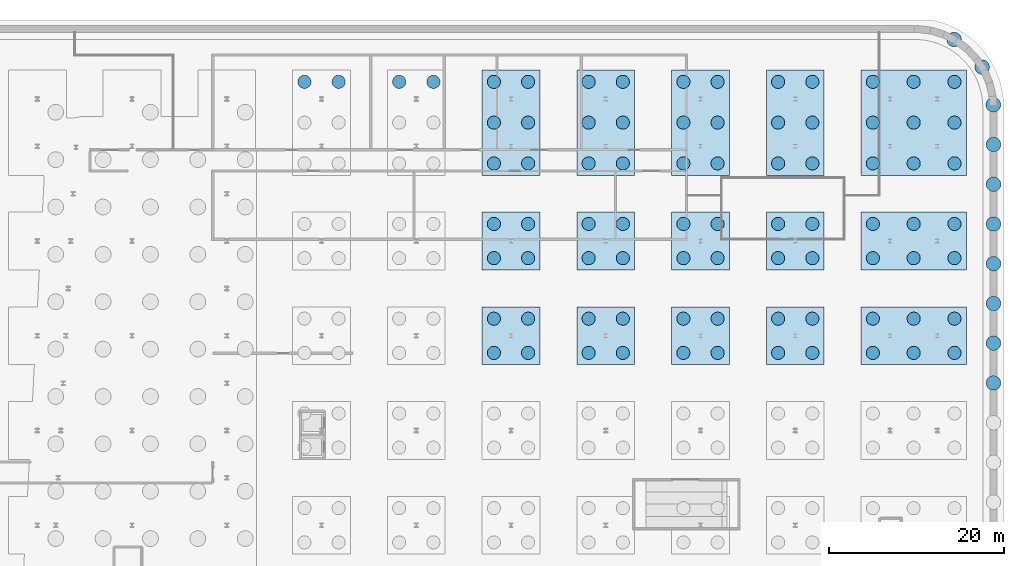
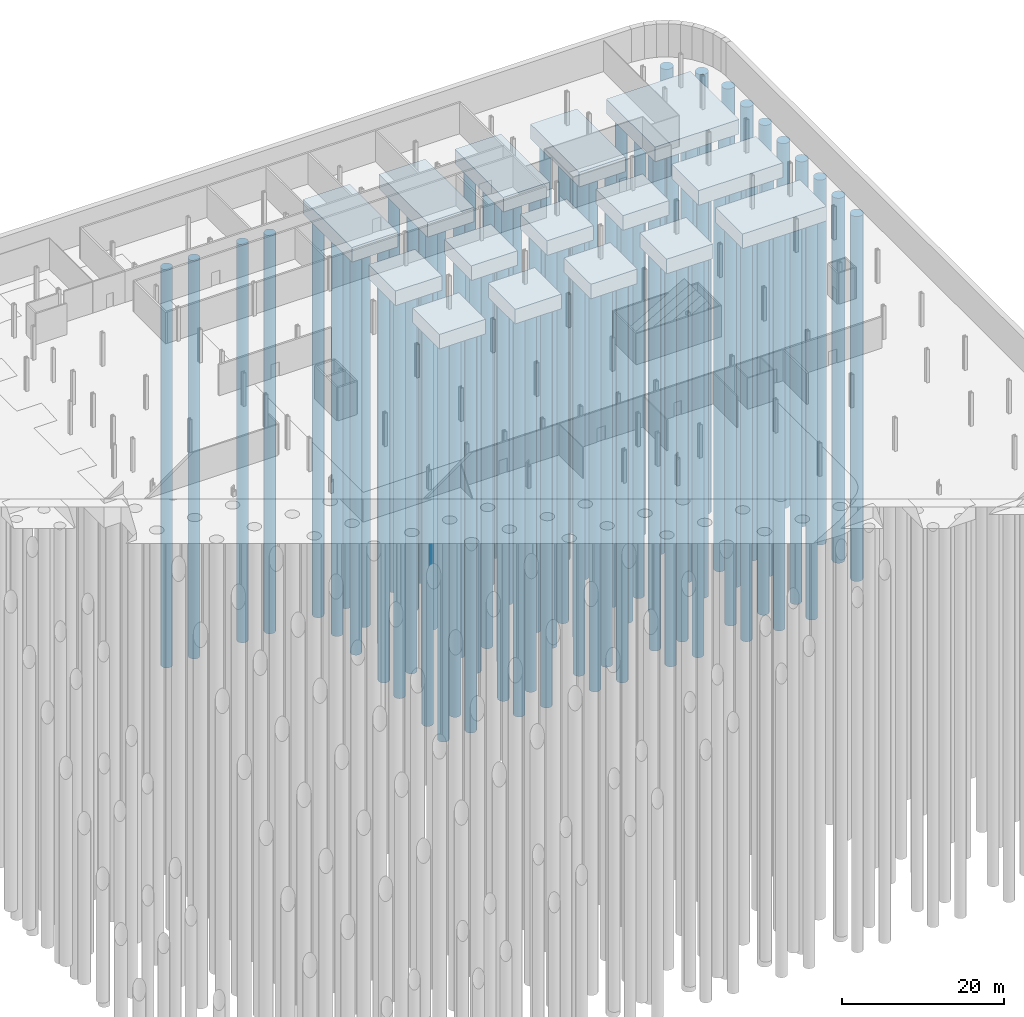
# One storey, part 3 of 23: 91 piles, 15 footings.
"""IFC4 building model written with IfcOpenShell, lengths in metres."""

from ifc_helpers import new_model, si_unit, direction, frame, origin, origin_2d, place, context, subcontext, project, spatial, polyline, rectangle, circle, outline, extrude, material, material_profile, profile_set, type_object, element, save


model = new_model("IFC4")

# Units and contexts
model_context = context("Model", 3, precision=1e-05, world=origin(), true_north=direction((0.0, 1.0)))
body_context = subcontext(model_context, "Body", "Model", "MODEL_VIEW")
ifc_project = project(units=[si_unit("LENGTHUNIT", "METRE"), si_unit("AREAUNIT", "SQUARE_METRE"), si_unit("VOLUMEUNIT", "CUBIC_METRE"), si_unit("PLANEANGLEUNIT", "RADIAN"), si_unit("MASSUNIT", "GRAM", prefix="KILO")], contexts=[model_context])

# Site, building, storey
site_placement = place(None, origin())
site = spatial("IfcSite", under=ifc_project, at=site_placement, CompositionType="ELEMENT")
building_placement = place(site_placement, origin())
building = spatial("IfcBuilding", under=site, at=building_placement, Name="Kheshtan School and Residences Tower", CompositionType="ELEMENT")
storey_placement = place(building_placement, frame((0.0, 0.0, -15.0)))
storey = spatial("IfcBuildingStorey", under=building, at=storey_placement, Name="B3", CompositionType="ELEMENT", Elevation=-15.0)

# Piles
ifc_material_1 = material(Name="Concrete C50/60", Category="concrete")
ifc_material_profile_1 = material_profile(ifc_material_1, circle(Radius=0.75, at=origin_2d()), Name="BP 1500")
ifc_profile_set_1 = profile_set([ifc_material_profile_1], Name="Concrete C50/60")
pile_type_1 = type_object("IfcPileType", Name="Bored pile 1500 Concrete C50/60", PredefinedType="BORED", material=ifc_profile_set_1)
for number, where, z_axis, x_axis, name in (
    (1, (56.449951171875, 106.949951171875, -3.0), (0.0, 0.0, -1.0), (1.0, 0.0, 0.0), "Cap pile C022-3"),
    (2, (60.35009765625, 106.949951171875, -3.0), (0.0, 0.0, -1.0), (1.0, 0.0, 0.0), "Cap pile C022-4"),
    (3, (67.25, 106.949951171875, -3.0), (0.0, 0.0, -1.0), (1.0, 0.0, 0.0), "Cap pile C023-3"),
    (4, (71.14990234375, 106.949951171875, -3.0), (0.0, 0.0, -1.0), (1.0, 0.0, 0.0), "Cap pile C023-4"),
    (5, (88.85009765625, 76.050048828125, -3.0), (0.0, 0.0, -1.0), (1.0, 0.0, 0.0), "Cap pile C034-1"),
    (6, (92.75, 76.050048828125, -3.0), (0.0, 0.0, -1.0), (1.0, 0.0, 0.0), "Cap pile C034-2"),
    (7, (88.85009765625, 79.949951171875, -3.0), (0.0, 0.0, -1.0), (1.0, 0.0, 0.0), "Cap pile C034-3"),
    (8, (92.75, 79.949951171875, -3.0), (0.0, 0.0, -1.0), (1.0, 0.0, 0.0), "Cap pile C034-4"),
    (9, (110.449951171875, 76.050048828125, -3.0), (0.0, 0.0, -1.0), (1.0, 0.0, 0.0), "Cap pile C035-1"),
    (10, (114.35009765625, 76.050048828125, -3.0), (0.0, 0.0, -1.0), (1.0, 0.0, 0.0), "Cap pile C035-2"),
    (11, (110.449951171875, 79.949951171875, -3.0), (0.0, 0.0, -1.0), (1.0, 0.0, 0.0), "Cap pile C035-3"),
    (12, (114.35009765625, 79.949951171875, -3.0), (0.0, 0.0, -1.0), (1.0, 0.0, 0.0), "Cap pile C035-4"),
    (13, (99.64990234375, 76.050048828125, -3.0), (0.0, 0.0, -1.0), (1.0, 0.0, 0.0), "Cap pile C036-1"),
    (14, (103.550048828125, 76.050048828125, -3.0), (0.0, 0.0, -1.0), (1.0, 0.0, 0.0), "Cap pile C036-2"),
    (15, (99.64990234375, 79.949951171875, -3.0), (0.0, 0.0, -1.0), (1.0, 0.0, 0.0), "Cap pile C036-3"),
    (16, (103.550048828125, 79.949951171875, -3.0), (0.0, 0.0, -1.0), (1.0, 0.0, 0.0), "Cap pile C036-4"),
    (17, (78.050048828125, 76.050048828125, -3.0), (0.0, 0.0, -1.0), (1.0, 0.0, 0.0), "Cap pile C037-1"),
    (18, (81.949951171875, 76.050048828125, -3.0), (0.0, 0.0, -1.0), (1.0, 0.0, 0.0), "Cap pile C037-2"),
    (19, (78.050048828125, 79.949951171875, -3.0), (0.0, 0.0, -1.0), (1.0, 0.0, 0.0), "Cap pile C037-3"),
    (20, (81.949951171875, 79.949951171875, -3.0), (0.0, 0.0, -1.0), (1.0, 0.0, 0.0), "Cap pile C037-4"),
    (21, (88.85009765625, 86.85009765625, -3.0), (0.0, 0.0, -1.0), (1.0, 0.0, 0.0), "Cap pile C038-1"),
    (22, (92.75, 86.85009765625, -3.0), (0.0, 0.0, -1.0), (1.0, 0.0, 0.0), "Cap pile C038-2"),
    (23, (88.85009765625, 90.75, -3.0), (0.0, 0.0, -1.0), (1.0, 0.0, 0.0), "Cap pile C038-3"),
    (24, (92.75, 90.75, -3.0), (0.0, 0.0, -1.0), (1.0, 0.0, 0.0), "Cap pile C038-4"),
    (25, (78.050048828125, 86.85009765625, -3.0), (0.0, 0.0, -1.0), (1.0, 0.0, 0.0), "Cap pile C039-1"),
    (26, (81.949951171875, 86.85009765625, -3.0), (0.0, 0.0, -1.0), (1.0, 0.0, 0.0), "Cap pile C039-2"),
    (27, (78.050048828125, 90.75, -3.0), (0.0, 0.0, -1.0), (1.0, 0.0, 0.0), "Cap pile C039-3"),
    (28, (81.949951171875, 90.75, -3.0), (0.0, 0.0, -1.0), (1.0, 0.0, 0.0), "Cap pile C039-4"),
    (29, (99.64990234375, 86.85009765625, -3.0), (0.0, 0.0, -1.0), (1.0, 0.0, 0.0), "Cap pile C040-1"),
    (30, (103.550048828125, 86.85009765625, -3.0), (0.0, 0.0, -1.0), (1.0, 0.0, 0.0), "Cap pile C040-2"),
    (31, (99.64990234375, 90.75, -3.0), (0.0, 0.0, -1.0), (1.0, 0.0, 0.0), "Cap pile C040-3"),
    (32, (103.550048828125, 90.75, -3.0), (0.0, 0.0, -1.0), (1.0, 0.0, 0.0), "Cap pile C040-4"),
    (33, (110.449951171875, 86.85009765625, -3.0), (0.0, 0.0, -1.0), (1.0, 0.0, 0.0), "Cap pile C041-1"),
    (34, (114.35009765625, 86.85009765625, -3.0), (0.0, 0.0, -1.0), (1.0, 0.0, 0.0), "Cap pile C041-2"),
    (35, (110.449951171875, 90.75, -3.0), (0.0, 0.0, -1.0), (1.0, 0.0, 0.0), "Cap pile C041-3"),
    (36, (114.35009765625, 90.75, -3.0), (0.0, 0.0, -1.0), (1.0, 0.0, 0.0), "Cap pile C041-4"),
    (37, (88.85009765625, 97.64990234375, -3.0), (0.0, 0.0, -1.0), (1.0, 0.0, 0.0), "Cap pile C042-1"),
    (38, (92.75, 97.64990234375, -3.0), (0.0, 0.0, -1.0), (1.0, 0.0, 0.0), "Cap pile C042-2"),
    (39, (88.85009765625, 106.949951171875, -3.0), (0.0, 0.0, -1.0), (1.0, 0.0, 0.0), "Cap pile C042-3"),
    (40, (92.75, 106.949951171875, -3.0), (0.0, 0.0, -1.0), (1.0, 0.0, 0.0), "Cap pile C042-4"),
    (41, (88.85009765625, 102.300048828125, -3.0), (0.0, 0.0, -1.0), (1.0, 0.0, 0.0), "Cap pile C042-5"),
    (42, (92.75, 102.300048828125, -3.0), (0.0, 0.0, -1.0), (1.0, 0.0, 0.0), "Cap pile C042-6"),
    (43, (78.050048828125, 97.64990234375, -3.0), (0.0, 0.0, -1.0), (1.0, 0.0, 0.0), "Cap pile C043-1"),
    (44, (81.949951171875, 97.64990234375, -3.0), (0.0, 0.0, -1.0), (1.0, 0.0, 0.0), "Cap pile C043-2"),
    (45, (78.050048828125, 106.949951171875, -3.0), (0.0, 0.0, -1.0), (1.0, 0.0, 0.0), "Cap pile C043-3"),
    (46, (81.949951171875, 106.949951171875, -3.0), (0.0, 0.0, -1.0), (1.0, 0.0, 0.0), "Cap pile C043-4"),
    (47, (78.050048828125, 102.300048828125, -3.0), (0.0, 0.0, -1.0), (1.0, 0.0, 0.0), "Cap pile C043-5"),
    (48, (81.949951171875, 102.300048828125, -3.0), (0.0, 0.0, -1.0), (1.0, 0.0, 0.0), "Cap pile C043-6"),
    (49, (99.64990234375, 97.64990234375, -3.0), (0.0, 0.0, -1.0), (1.0, 0.0, 0.0), "Cap pile C044-1"),
    (50, (103.550048828125, 97.64990234375, -3.0), (0.0, 0.0, -1.0), (1.0, 0.0, 0.0), "Cap pile C044-2"),
    (51, (99.64990234375, 106.949951171875, -3.0), (0.0, 0.0, -1.0), (1.0, 0.0, 0.0), "Cap pile C044-3"),
    (52, (103.550048828125, 106.949951171875, -3.0), (0.0, 0.0, -1.0), (1.0, 0.0, 0.0), "Cap pile C044-4"),
    (53, (99.64990234375, 102.300048828125, -3.0), (0.0, 0.0, -1.0), (1.0, 0.0, 0.0), "Cap pile C044-5"),
    (54, (103.550048828125, 102.300048828125, -3.0), (0.0, 0.0, -1.0), (1.0, 0.0, 0.0), "Cap pile C044-6"),
    (55, (110.449951171875, 97.64990234375, -3.0), (0.0, 0.0, -1.0), (1.0, 0.0, 0.0), "Cap pile C045-1"),
    (56, (114.35009765625, 97.64990234375, -3.0), (0.0, 0.0, -1.0), (1.0, 0.0, 0.0), "Cap pile C045-2"),
    (57, (110.449951171875, 106.949951171875, -3.0), (0.0, 0.0, -1.0), (1.0, 0.0, 0.0), "Cap pile C045-3"),
    (58, (114.35009765625, 106.949951171875, -3.0), (0.0, 0.0, -1.0), (1.0, 0.0, 0.0), "Cap pile C045-4"),
    (59, (110.449951171875, 102.300048828125, -3.0), (0.0, 0.0, -1.0), (1.0, 0.0, 0.0), "Cap pile C045-5"),
    (60, (114.35009765625, 102.300048828125, -3.0), (0.0, 0.0, -1.0), (1.0, 0.0, 0.0), "Cap pile C045-6"),
    (61, (121.25, 76.050048828125, -3.0), (0.0, 0.0, -1.0), (1.0, 0.0, 0.0), "Cap pile C058-1"),
    (62, (121.25, 79.949951171875, -3.0), (0.0, 0.0, -1.0), (1.0, 0.0, 0.0), "Cap pile C058-2"),
    (63, (130.550048828125, 76.050048828125, -3.0), (0.0, 0.0, -1.0), (1.0, 0.0, 0.0), "Cap pile C058-3"),
    (64, (130.550048828125, 79.949951171875, -3.0), (0.0, 0.0, -1.0), (1.0, 0.0, 0.0), "Cap pile C058-4"),
    (65, (125.89990234375, 76.050048828125, -3.0), (0.0, 0.0, -1.0), (1.0, 0.0, 0.0), "Cap pile C058-5"),
    (66, (125.89990234375, 79.949951171875, -3.0), (0.0, 0.0, -1.0), (1.0, 0.0, 0.0), "Cap pile C058-6"),
    (67, (121.25, 86.85009765625, -3.0), (0.0, 0.0, -1.0), (1.0, 0.0, 0.0), "Cap pile C059-1"),
    (68, (121.25, 90.75, -3.0), (0.0, 0.0, -1.0), (1.0, 0.0, 0.0), "Cap pile C059-2"),
    (69, (130.550048828125, 86.85009765625, -3.0), (0.0, 0.0, -1.0), (1.0, 0.0, 0.0), "Cap pile C059-3"),
    (70, (130.550048828125, 90.75, -3.0), (0.0, 0.0, -1.0), (1.0, 0.0, 0.0), "Cap pile C059-4"),
    (71, (125.89990234375, 86.85009765625, -3.0), (0.0, 0.0, -1.0), (1.0, 0.0, 0.0), "Cap pile C059-5"),
    (72, (125.89990234375, 90.75, -3.0), (0.0, 0.0, -1.0), (1.0, 0.0, 0.0), "Cap pile C059-6"),
    (73, (121.25, 97.64990234375, -3.0), (0.0, 0.0, -1.0), (1.0, 0.0, 0.0), "Cap pile C060-1"),
    (74, (121.25, 106.949951171875, -3.0), (0.0, 0.0, -1.0), (1.0, 0.0, 0.0), "Cap pile C060-2"),
    (75, (130.550048828125, 97.64990234375, -3.0), (0.0, 0.0, -1.0), (1.0, 0.0, 0.0), "Cap pile C060-3"),
    (76, (130.550048828125, 106.949951171875, -3.0), (0.0, 0.0, -1.0), (1.0, 0.0, 0.0), "Cap pile C060-4"),
    (77, (125.89990234375, 97.64990234375, -3.0), (0.0, 0.0, -1.0), (1.0, 0.0, 0.0), "Cap pile C060-5"),
    (78, (125.89990234375, 106.949951171875, -3.0), (0.0, 0.0, -1.0), (1.0, 0.0, 0.0), "Cap pile C060-6"),
    (79, (121.25, 102.300048828125, -3.0), (0.0, 0.0, -1.0), (1.0, 0.0, 0.0), "Cap pile C060-7"),
    (80, (130.550048828125, 102.300048828125, -3.0), (0.0, 0.0, -1.0), (1.0, 0.0, 0.0), "Cap pile C060-8"),
    (81, (125.89990234375, 102.300048828125, -3.0), (0.0, 0.0, -1.0), (1.0, 0.0, 0.0), "Cap pile C060-9"),
):
    element("IfcPile", number, at=place(storey_placement, frame(where, z_axis=z_axis, x_axis=x_axis)), inside=storey, type_object=pile_type_1, Name=name, PredefinedType="BORED", context=body_context, shape_type="SweptSolid", body=[
        extrude(circle(Radius=0.75, at=origin_2d()), origin(), (0.0, 0.0, 1.0), 60.0),
    ])
ifc_material_profile_2 = material_profile(ifc_material_1, circle(Radius=0.824951171875, at=origin_2d()), Name="BP 1650")
ifc_profile_set_2 = profile_set([ifc_material_profile_2], Name="Concrete C50/60")
pile_type_2 = type_object("IfcPileType", Name="Bored pile 1650 Concrete C50/60", PredefinedType="BORED", material=ifc_profile_set_2)
for number, where, z_axis, x_axis, name in (
    (82, (130.50830078125, 111.776611328125, -1.60009765625), (0.0, 0.0, -1.0), (1.0, 0.0, 0.0), "Wall pile W1-028"),
    (83, (133.70458984375, 108.63330078125, -1.60009765625), (0.0, 0.0, -1.0), (1.0, 0.0, 0.0), "Wall pile W1-029"),
    (84, (134.982421875, 104.33642578125, -1.60009765625), (0.0, 0.0, -1.0), (1.0, 0.0, 0.0), "Wall pile W1-030"),
    (85, (135.0, 99.806884765625, -1.60009765625), (0.0, 0.0, -1.0), (1.0, 0.0, 0.0), "Wall pile W1-031"),
    (86, (135.0, 95.27685546875, -1.60009765625), (0.0, 0.0, -1.0), (1.0, 0.0, 0.0), "Wall pile W1-032"),
    (87, (135.0, 90.74658203125, -1.60009765625), (0.0, 0.0, -1.0), (1.0, 0.0, 0.0), "Wall pile W1-033"),
    (88, (135.0, 86.216552734375, -1.60009765625), (0.0, 0.0, -1.0), (1.0, 0.0, 0.0), "Wall pile W1-034"),
    (89, (135.0, 81.6865234375, -1.60009765625), (0.0, 0.0, -1.0), (1.0, 0.0, 0.0), "Wall pile W1-035"),
    (90, (135.0, 77.156494140625, -1.60009765625), (0.0, 0.0, -1.0), (1.0, 0.0, 0.0), "Wall pile W1-036"),
    (91, (135.0, 72.626220703125, -1.60009765625), (0.0, 0.0, -1.0), (1.0, 0.0, 0.0), "Wall pile W1-037"),
):
    element("IfcPile", number, at=place(storey_placement, frame(where, z_axis=z_axis, x_axis=x_axis)), inside=storey, type_object=pile_type_2, Name=name, PredefinedType="BORED", context=body_context, shape_type="SweptSolid", body=[
        extrude(circle(Radius=0.824951171875, at=origin_2d()), origin(), (0.0, 0.0, 1.0), 55.0),
    ])

# Footings
ifc_material_2 = material(Name="Concrete C40/50", Category="concrete")
footing_type = type_object("IfcFootingType", Name="Pile cap 6600 x 6600 x 2200 Concrete C40/50", PredefinedType="PILE_CAP", material=ifc_material_2)
for number, where, z_axis, x_axis, name in (
    (92, (90.800048828125, 78.0, -3.0), (0.0, 0.0, 1.0), (1.0, 0.0, 0.0), "Pile cap 034"),
    (93, (112.39990234375, 78.0, -3.0), (0.0, 0.0, 1.0), (1.0, 0.0, 0.0), "Pile cap 035"),
    (94, (101.60009765625, 78.0, -3.0), (0.0, 0.0, 1.0), (1.0, 0.0, 0.0), "Pile cap 036"),
    (95, (80.0, 78.0, -3.0), (0.0, 0.0, 1.0), (1.0, 0.0, 0.0), "Pile cap 037"),
    (96, (90.800048828125, 88.800048828125, -3.0), (0.0, 0.0, 1.0), (1.0, 0.0, 0.0), "Pile cap 038"),
    (97, (80.0, 88.800048828125, -3.0), (0.0, 0.0, 1.0), (1.0, 0.0, 0.0), "Pile cap 039"),
    (98, (101.60009765625, 88.800048828125, -3.0), (0.0, 0.0, 1.0), (1.0, 0.0, 0.0), "Pile cap 040"),
    (99, (112.39990234375, 88.800048828125, -3.0), (0.0, 0.0, 1.0), (1.0, 0.0, 0.0), "Pile cap 041"),
):
    element("IfcFooting", number, at=place(storey_placement, frame(where, z_axis=z_axis, x_axis=x_axis)), inside=storey, type_object=footing_type, Name=name, PredefinedType="PILE_CAP", context=body_context, shape_type="SweptSolid", body=[
        extrude(rectangle(XDim=6.60009765625, YDim=6.60009765625, at=origin_2d()), origin(), (0.0, 0.0, 1.0), 2.199951171875),
    ])
footing_1_placement = place(storey_placement, frame((0.0, 0.0, -3.0)))
element("IfcFooting", 100, at=footing_1_placement, inside=storey, type_object=footing_type, Name="Pile cap 042 (combined)", PredefinedType="PILE_CAP", context=body_context, shape_type="SweptSolid", body=[
    extrude(outline(polyline([(87.5, 96.300048828125), (87.5, 101.699951171875), (87.5, 102.89990234375), (87.5, 108.300048828125), (94.10009765625, 108.300048828125), (94.10009765625, 102.89990234375), (94.10009765625, 101.699951171875), (94.10009765625, 96.300048828125), (87.5, 96.300048828125)])), origin(), (0.0, 0.0, 1.0), 2.199951171875),
])
footing_2_placement = place(storey_placement, frame((0.0, 0.0, -3.0)))
element("IfcFooting", 101, at=footing_2_placement, inside=storey, type_object=footing_type, Name="Pile cap 043 (combined)", PredefinedType="PILE_CAP", context=body_context, shape_type="SweptSolid", body=[
    extrude(outline(polyline([(76.699951171875, 96.300048828125), (76.699951171875, 101.699951171875), (76.699951171875, 102.89990234375), (76.699951171875, 108.300048828125), (83.300048828125, 108.300048828125), (83.300048828125, 102.89990234375), (83.300048828125, 101.699951171875), (83.300048828125, 96.300048828125), (76.699951171875, 96.300048828125)])), origin(), (0.0, 0.0, 1.0), 2.199951171875),
])
footing_3_placement = place(storey_placement, frame((0.0, 0.0, -3.0)))
element("IfcFooting", 102, at=footing_3_placement, inside=storey, type_object=footing_type, Name="Pile cap 044 (combined)", PredefinedType="PILE_CAP", context=body_context, shape_type="SweptSolid", body=[
    extrude(outline(polyline([(98.300048828125, 102.89990234375), (98.300048828125, 108.300048828125), (104.89990234375, 108.300048828125), (104.89990234375, 102.89990234375), (104.89990234375, 101.699951171875), (104.89990234375, 96.300048828125), (98.300048828125, 96.300048828125), (98.300048828125, 101.699951171875), (98.300048828125, 102.89990234375)])), origin(), (0.0, 0.0, 1.0), 2.199951171875),
])
footing_4_placement = place(storey_placement, frame((0.0, 0.0, -3.0)))
element("IfcFooting", 103, at=footing_4_placement, inside=storey, type_object=footing_type, Name="Pile cap 045 (combined)", PredefinedType="PILE_CAP", context=body_context, shape_type="SweptSolid", body=[
    extrude(outline(polyline([(109.10009765625, 102.89990234375), (109.10009765625, 108.300048828125), (115.699951171875, 108.300048828125), (115.699951171875, 102.89990234375), (115.699951171875, 101.699951171875), (115.699951171875, 96.300048828125), (109.10009765625, 96.300048828125), (109.10009765625, 101.699951171875), (109.10009765625, 102.89990234375)])), origin(), (0.0, 0.0, 1.0), 2.199951171875),
])
footing_5_placement = place(storey_placement, frame((0.0, 0.0, -3.0)))
element("IfcFooting", 104, at=footing_5_placement, inside=storey, type_object=footing_type, Name="Pile cap 058 (combined)", PredefinedType="PILE_CAP", context=body_context, shape_type="SweptSolid", body=[
    extrude(outline(polyline([(119.89990234375, 74.699951171875), (119.89990234375, 81.300048828125), (125.300048828125, 81.300048828125), (126.5, 81.300048828125), (131.89990234375, 81.300048828125), (131.89990234375, 74.699951171875), (126.5, 74.699951171875), (125.300048828125, 74.699951171875), (119.89990234375, 74.699951171875)])), origin(), (0.0, 0.0, 1.0), 2.199951171875),
])
footing_6_placement = place(storey_placement, frame((0.0, 0.0, -3.0)))
element("IfcFooting", 105, at=footing_6_placement, inside=storey, type_object=footing_type, Name="Pile cap 059 (combined)", PredefinedType="PILE_CAP", context=body_context, shape_type="SweptSolid", body=[
    extrude(outline(polyline([(125.300048828125, 92.10009765625), (126.5, 92.10009765625), (131.89990234375, 92.10009765625), (131.89990234375, 85.5), (126.5, 85.5), (125.300048828125, 85.5), (119.89990234375, 85.5), (119.89990234375, 92.10009765625), (125.300048828125, 92.10009765625)])), origin(), (0.0, 0.0, 1.0), 2.199951171875),
])
footing_7_placement = place(storey_placement, frame((0.0, 0.0, -3.0)))
element("IfcFooting", 106, at=footing_7_placement, inside=storey, type_object=footing_type, Name="Pile cap 060 (combined)", PredefinedType="PILE_CAP", context=body_context, shape_type="SweptSolid", body=[
    extrude(outline(polyline([(126.5, 108.300048828125), (131.89990234375, 108.300048828125), (131.89990234375, 102.89990234375), (131.89990234375, 101.699951171875), (131.89990234375, 96.300048828125), (126.5, 96.300048828125), (125.300048828125, 96.300048828125), (119.89990234375, 96.300048828125), (119.89990234375, 101.699951171875), (119.89990234375, 102.89990234375), (119.89990234375, 108.300048828125), (125.300048828125, 108.300048828125), (126.5, 108.300048828125)])), origin(), (0.0, 0.0, 1.0), 2.199951171875),
])

save(model, "model.ifc")
